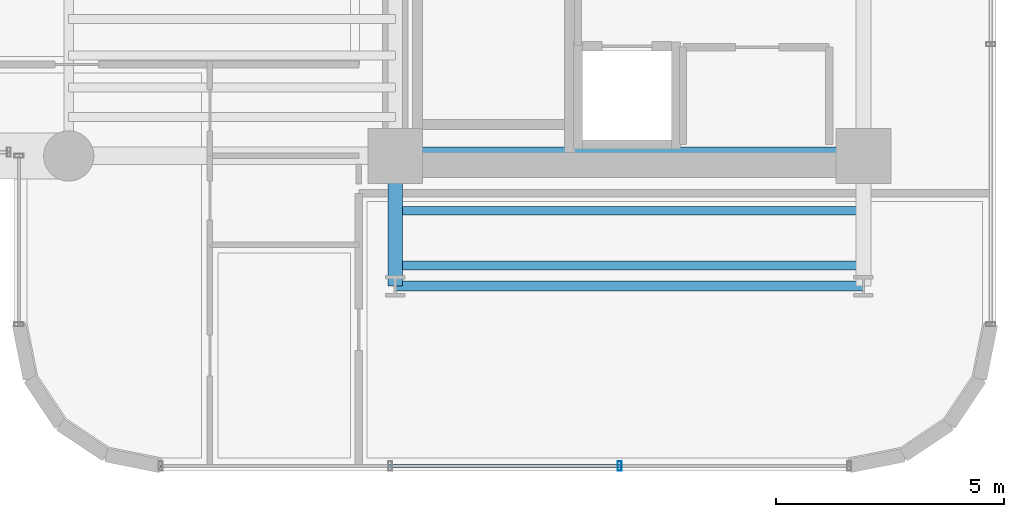
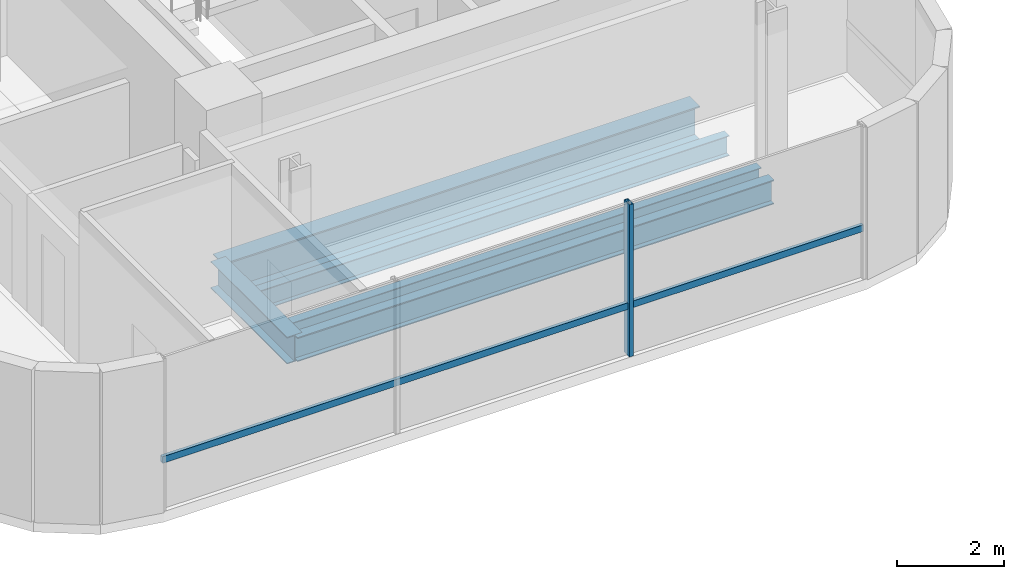
# One storey, part 3 of 34: 5 beams, 2 members, 1 element without a shape of its own.
"""IFC4 building model written with IfcOpenShell, lengths in metres."""

from ifc_helpers import new_model, si_unit, direction, frame, origin, origin_2d, place, context, subcontext, project, spatial, hollow_rectangle, i_section, extrude, source, transform, mapped, material, material_profile, profile_set, type_object, element, aggregate, save


model = new_model("IFC4")

# Units and contexts
model_context = context("Model", 3, precision=1e-05, world=origin(), true_north=direction((0.0, 1.0)))
body_context = subcontext(model_context, "Body", "Model", "MODEL_VIEW")
ifc_project = project(units=[si_unit("LENGTHUNIT", "METRE"), si_unit("AREAUNIT", "SQUARE_METRE"), si_unit("VOLUMEUNIT", "CUBIC_METRE"), si_unit("PLANEANGLEUNIT", "RADIAN"), si_unit("MASSUNIT", "GRAM", prefix="KILO")], contexts=[model_context])

# Site, building, storey
site_placement = place(None, origin())
site = spatial("IfcSite", under=ifc_project, at=site_placement, CompositionType="ELEMENT")
building_placement = place(site_placement, origin())
building = spatial("IfcBuilding", under=site, at=building_placement, Name="Valdorenza Pilgrim Sanctuary Tower", CompositionType="ELEMENT")
storey_placement = place(building_placement, frame((0.0, 0.0, 164.89990234375)))
storey = spatial("IfcBuildingStorey", under=building, at=storey_placement, Name="L42", CompositionType="ELEMENT", Elevation=164.89990234375)

# Beams
ifc_material_1 = material(Name="Steel ASTM A992 Grade 50", Category="steel")
ifc_material_profile_1 = material_profile(ifc_material_1, i_section(OverallWidth=0.214111328125, OverallDepth=0.549072265625, WebThickness=0.0146484375, FlangeThickness=0.023681640625, at=origin_2d()), Name="W21X93")
ifc_profile_set_1 = profile_set([ifc_material_profile_1], Name="Steel ASTM A992 Grade 50")
beam_type_1 = type_object("IfcBeamType", Name="STR-BM-SPN-W21A", PredefinedType="SPANDREL", material=ifc_profile_set_1)
shared_shape_1 = source(origin(), body_context, "Body", "SweptSolid", [
    extrude(i_section(OverallWidth=0.214111328125, OverallDepth=0.549072265625, WebThickness=0.0146484375, FlangeThickness=0.023681640625, at=origin_2d()), origin(), (0.0, 0.0, 1.0), 10.25),
])
beam_1_placement = place(storey_placement, frame((-22.64990234375, -13.449951171875, -0.514404296875), z_axis=(1.0, 0.0, 0.0), x_axis=(0.0, 1.0, 0.0)))
element("IfcBeam", 1, at=beam_1_placement, inside=storey, type_object=beam_type_1, Name="L42 South Spandrel WA-S-TIE", PredefinedType="SPANDREL", context=body_context, shape_type="MappedRepresentation", body=[
    mapped(shared_shape_1, transform((0.0, 0.0, 0.0), x_axis=(1.0, 0.0, 0.0), y_axis=(0.0, 1.0, 0.0), z_axis=(0.0, 0.0, 1.0), scale=1.0)),
])
ifc_material_profile_2 = material_profile(ifc_material_1, i_section(OverallWidth=0.323974609375, OverallDepth=0.611083984375, WebThickness=0.0126953125, FlangeThickness=0.01904296875, at=origin_2d()), Name="W24X104")
ifc_profile_set_2 = profile_set([ifc_material_profile_2], Name="Steel ASTM A992 Grade 50")
beam_type_2 = type_object("IfcBeamType", Name="STR-BM-GRD-W24B", PredefinedType="BEAM", material=ifc_profile_set_2)
shared_shape_2 = source(origin(), body_context, "Body", "SweptSolid", [
    extrude(i_section(OverallWidth=0.323974609375, OverallDepth=0.611083984375, WebThickness=0.0126953125, FlangeThickness=0.01904296875, at=origin_2d()), origin(), (0.0, 0.0, 1.0), 2.849853515625),
])
beam_2_placement = place(storey_placement, frame((-22.64990234375, -13.449951171875, -0.54541015625), z_axis=(0.0, 1.0, 0.0), x_axis=(-1.0, 0.0, 0.0)))
element("IfcBeam", 2, at=beam_2_placement, inside=storey, type_object=beam_type_2, Name="L42 Floor Girder WA-S-LW", PredefinedType="BEAM", context=body_context, shape_type="MappedRepresentation", body=[
    mapped(shared_shape_2, transform((0.0, 0.0, 0.0), x_axis=(1.0, 0.0, 0.0), y_axis=(0.0, 1.0, 0.0), z_axis=(0.0, 0.0, 1.0), scale=1.0)),
])
ifc_material_profile_3 = material_profile(ifc_material_1, i_section(OverallWidth=0.382080078125, OverallDepth=0.779052734375, WebThickness=0.01806640625, FlangeThickness=0.030029296875, at=origin_2d()), Name="W30X191")
ifc_profile_set_3 = profile_set([ifc_material_profile_3], Name="Steel ASTM A992 Grade 50")
beam_type_3 = type_object("IfcBeamType", Name="STR-BM-GRD-W30", PredefinedType="BEAM", material=ifc_profile_set_3)
shared_shape_3 = source(origin(), body_context, "Body", "SweptSolid", [
    extrude(i_section(OverallWidth=0.382080078125, OverallDepth=0.779052734375, WebThickness=0.01806640625, FlangeThickness=0.030029296875, at=origin_2d()), origin(), (0.0, 0.0, 1.0), 10.25),
])
beam_3_placement = place(storey_placement, frame((-22.64990234375, -10.60009765625, -0.62939453125), z_axis=(1.0, 0.0, 0.0), x_axis=(0.0, 1.0, 0.0)))
element("IfcBeam", 3, at=beam_3_placement, inside=storey, type_object=beam_type_3, Name="L42 Floor Girder CA-XC-S1", PredefinedType="BEAM", context=body_context, shape_type="MappedRepresentation", body=[
    mapped(shared_shape_3, transform((0.0, 0.0, 0.0), x_axis=(1.0, 0.0, 0.0), y_axis=(0.0, 1.0, 0.0), z_axis=(0.0, 0.0, 1.0), scale=1.0)),
])
ifc_material_profile_4 = material_profile(ifc_material_1, i_section(OverallWidth=0.19091796875, OverallDepth=0.45703125, WebThickness=0.009033203125, FlangeThickness=0.014404296875, at=origin_2d()), Name="W18X50")
ifc_profile_set_4 = profile_set([ifc_material_profile_4], Name="Steel ASTM A992 Grade 50")
beam_type_4 = type_object("IfcBeamType", Name="STR-BM-JST-W18B", PredefinedType="JOIST", material=ifc_profile_set_4)
shared_shape_4 = source(origin(), body_context, "Body", "SweptSolid", [
    extrude(i_section(OverallWidth=0.19091796875, OverallDepth=0.45703125, WebThickness=0.009033203125, FlangeThickness=0.014404296875, at=origin_2d()), origin(), (0.0, 0.0, 1.0), 10.25),
])
for number, where, z_axis, x_axis, name in (
    (4, (-22.64990234375, -13.0, -0.468505859375), (1.0, 0.0, 0.0), (0.0, 1.0, 0.0), "L42 Composite Floor Joist JST-WAS-1"),
    (5, (-22.64990234375, -11.800048828125, -0.468505859375), (1.0, 0.0, 0.0), (0.0, 1.0, 0.0), "L42 Composite Floor Joist JST-WAS-2"),
):
    element("IfcBeam", number, at=place(storey_placement, frame(where, z_axis=z_axis, x_axis=x_axis)), inside=storey, type_object=beam_type_4, Name=name, PredefinedType="JOIST", context=body_context, shape_type="MappedRepresentation", body=[
        mapped(shared_shape_4, transform((0.0, 0.0, 0.0), x_axis=(1.0, 0.0, 0.0), y_axis=(0.0, 1.0, 0.0), z_axis=(0.0, 0.0, 1.0), scale=1.0)),
    ])

# Curtain wall, members
ifc_material_2 = material(Name="Curtain-wall IGU glazing", Category="glass")
curtain_wall_type = type_object("IfcCurtainWallType", Name="CW-SYS-02", PredefinedType="NOTDEFINED", material=ifc_material_2)
curtain_wall_placement = place(storey_placement, origin())
curtain_wall = element("IfcCurtainWall", 6, at=curtain_wall_placement, inside=storey, type_object=curtain_wall_type, Name="L42 Curtain Wall CW-L42-1-26", PredefinedType="NOTDEFINED")
ifc_material_3 = material(Name="Anodised aluminium AW-6060", Category="aluminium")
ifc_material_profile_5 = material_profile(ifc_material_3, hollow_rectangle(XDim=0.0849609375, YDim=0.199951171875, WallThickness=0.0048828125, at=origin_2d()), Name="ALU-M 200x85x5")
ifc_profile_set_5 = profile_set([ifc_material_profile_5], Name="Anodised aluminium AW-6060")
member_type_1 = type_object("IfcMemberType", Name="CW-MUL-02", PredefinedType="MULLION", material=ifc_profile_set_5)
shared_shape_5 = source(origin(), body_context, "Body", "SweptSolid", [
    extrude(hollow_rectangle(XDim=0.0849609375, YDim=0.199951171875, WallThickness=0.0048828125, at=origin_2d()), origin(), (0.0, 0.0, 1.0), 3.460205078125),
])
member_1_placement = place(storey_placement, frame((-17.73681640625, -17.389892578125, 0.0), z_axis=(0.0, 0.0, 1.0), x_axis=(-1.0, 0.0, 0.0)))
member_1 = element("IfcMember", 7, at=member_1_placement, type_object=member_type_1, Name="CW-L42-1-26 Mullion 2", PredefinedType="MULLION", context=body_context, shape_type="MappedRepresentation", body=[
    mapped(shared_shape_5, transform((0.0, 0.0, 0.0), x_axis=(1.0, 0.0, 0.0), y_axis=(0.0, 1.0, 0.0), z_axis=(0.0, 0.0, 1.0), scale=1.0)),
])
ifc_material_profile_6 = material_profile(ifc_material_3, hollow_rectangle(XDim=0.074951171875, YDim=0.14990234375, WallThickness=0.00390625, at=origin_2d()), Name="ALU-T 150x75x4")
ifc_profile_set_6 = profile_set([ifc_material_profile_6], Name="Anodised aluminium AW-6060")
member_type_2 = type_object("IfcMemberType", Name="CW-TRN-02", PredefinedType="USERDEFINED", material=ifc_profile_set_6)
shared_shape_6 = source(origin(), body_context, "Body", "SweptSolid", [
    extrude(hollow_rectangle(XDim=0.074951171875, YDim=0.14990234375, WallThickness=0.00390625, at=origin_2d()), origin(), (0.0, 0.0, 1.0), 15.07861328125),
])
member_2_placement = place(storey_placement, frame((-12.710693359375, -17.389892578125, 1.1201171875), z_axis=(-1.0, 0.0, 0.0), x_axis=(0.0, -1.0, 0.0)))
member_2 = element("IfcMember", 8, at=member_2_placement, type_object=member_type_2, Name="CW-L42-1-26 Transom 1", ObjectType="TRANSOM", PredefinedType="USERDEFINED", context=body_context, shape_type="MappedRepresentation", body=[
    mapped(shared_shape_6, transform((0.0, 0.0, 0.0), x_axis=(1.0, 0.0, 0.0), y_axis=(0.0, 1.0, 0.0), z_axis=(0.0, 0.0, 1.0), scale=1.0)),
])
aggregate(curtain_wall, [member_1, member_2])

save(model, "model.ifc")
